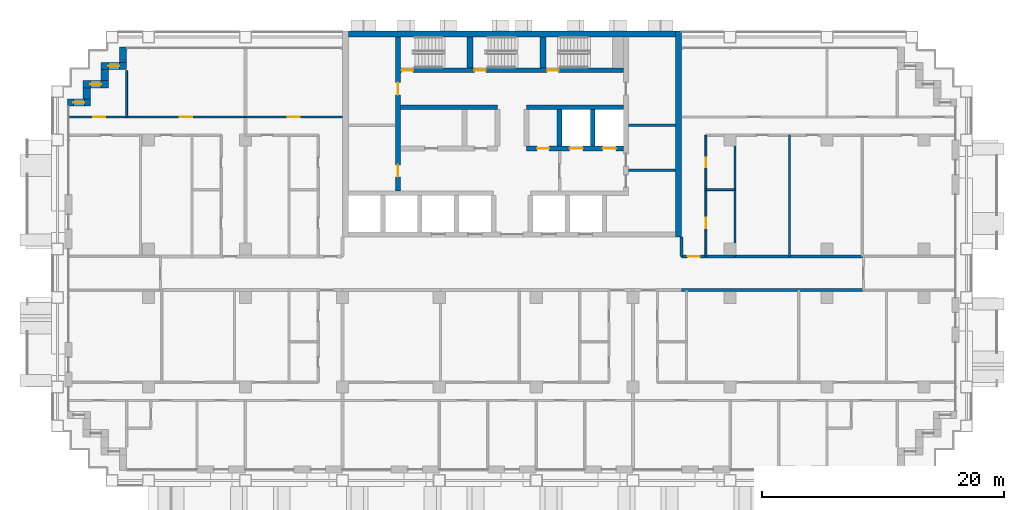
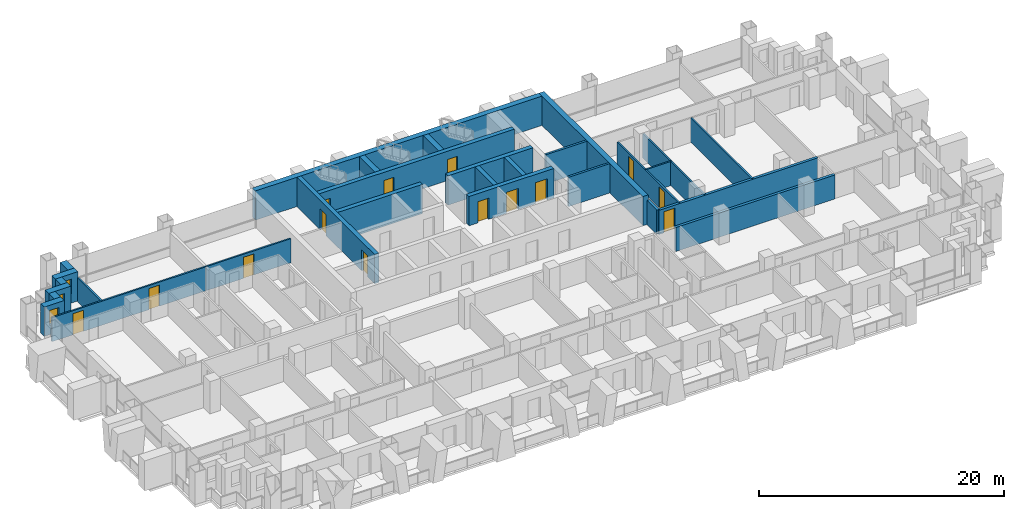
# One storey, part 12 of 18: 29 walls, 14 doors, 3 windows, 17 openings.
"""IFC4 building model written with IfcOpenShell, lengths in metres."""

from ifc_helpers import new_model, si_unit, direction, frame, frame_2d, origin, place, context, subcontext, project, spatial, rectangle, extrude, material, layer, layer_set, type_object, element, fill, save


model = new_model("IFC4")

# Units and contexts
model_context = context("Model", 3, precision=1e-05, world=origin(), true_north=direction((0.0, 1.0)))
body_context = subcontext(model_context, "Body", "Model", "MODEL_VIEW")
ifc_project = project(units=[si_unit("LENGTHUNIT", "METRE"), si_unit("AREAUNIT", "SQUARE_METRE"), si_unit("VOLUMEUNIT", "CUBIC_METRE"), si_unit("PLANEANGLEUNIT", "RADIAN"), si_unit("MASSUNIT", "GRAM", prefix="KILO")], contexts=[model_context])

# Site, building, storey
site_placement = place(None, origin())
site = spatial("IfcSite", under=ifc_project, at=site_placement, CompositionType="ELEMENT")
building_placement = place(site_placement, origin())
building = spatial("IfcBuilding", under=site, at=building_placement, Name="Vidyagriha Tower", CompositionType="ELEMENT")
storey_placement = place(building_placement, frame((0.0, 0.0, 54.39990234375)))
storey = spatial("IfcBuildingStorey", under=building, at=storey_placement, Name="L14", CompositionType="ELEMENT", Elevation=54.39990234375)

# Wall
ifc_material_1 = material(Name="Precast concrete C40/50 with brick facing", Category="concrete")
ifc_layer_1 = layer(ifc_material_1, 0.60009765625)
ifc_layer_set_1 = layer_set([ifc_layer_1], Name="Precast concrete C40/50 with brick facing")
wall_type_1 = type_object("IfcWallType", Name="Brick-faced precast wall 600", PredefinedType="STANDARD", material=ifc_layer_set_1)
wall_1_placement = place(storey_placement, frame((-32.10009765625, 18.679931640625, 0.0), z_axis=(0.0, 0.0, 1.0), x_axis=(0.0, -1.0, 0.0)))
element("IfcWall", 1, at=wall_1_placement, inside=storey, type_object=wall_type_1, Name="Stepped corner wall L14 R10", PredefinedType="STANDARD", context=body_context, shape_type="SweptSolid", body=[
    extrude(rectangle(XDim=1.280029296875, YDim=0.60009765625, at=frame_2d((0.64013671875, 0.0))), origin(), (0.0, 0.0, 1.0), 2.920166015625),
])

# Wall, opening, window
wall_2_placement = place(storey_placement, frame((-31.800048828125, 17.10009765625, 0.0), z_axis=(0.0, 0.0, 1.0), x_axis=(-1.0, 0.0, 0.0)))
wall_2 = element("IfcWall", 2, at=wall_2_placement, inside=storey, type_object=wall_type_1, Name="Stepped corner wall L14 R11", PredefinedType="STANDARD", context=body_context, shape_type="SweptSolid", body=[
    extrude(rectangle(XDim=2.099853515625, YDim=0.60009765625, at=frame_2d((1.0498046875, 0.0))), origin(), (0.0, 0.0, 1.0), 2.920166015625),
])
opening_1_placement = place(wall_2_placement, frame((0.60009765625, 0.0, 0.89990234375)))
opening_1 = element("IfcOpeningElement", 3, at=opening_1_placement, cuts=wall_2, Name="Opening WN1", PredefinedType="OPENING", context=body_context, shape_type="SweptSolid", body=[
    extrude(rectangle(XDim=0.89990234375, YDim=1.5, at=frame_2d((0.449951171875, 0.75))), frame((0.0, 0.31005859375, 0.0), z_axis=(0.0, -1.0, 0.0), x_axis=(1.0, 0.0, 0.0)), (0.0, 0.0, 1.0), 0.6201171875),
])
ifc_material_2 = material(Name="Aluminium and glass window", Category="aluminium")
window_type = type_object("IfcWindowType", Name="Reveal window 900x1500", PartitioningType="NOTDEFINED", PredefinedType="WINDOW", material=ifc_material_2)
window_1_placement = place(opening_1_placement, origin())
window_1 = element("IfcWindow", 4, at=window_1_placement, inside=storey, type_object=window_type, Name="Reveal window L14 R11", OverallHeight=1.5, OverallWidth=0.89990234375, PartitioningType="SINGLE_PANEL", PredefinedType="WINDOW", context=body_context, shape_type="SweptSolid", body=[
    extrude(rectangle(XDim=0.89990234375, YDim=1.5, at=frame_2d((0.449951171875, 0.75))), frame((0.0, 0.030029296875, 0.0), z_axis=(0.0, -1.0, 0.0), x_axis=(1.0, 0.0, 0.0)), (0.0, 0.0, 1.0), 0.06005859375),
])
fill(opening_1, window_1)

# Wall
wall_3_placement = place(storey_placement, frame((-33.60009765625, 16.800048828125, 0.0), z_axis=(0.0, 0.0, 1.0), x_axis=(0.0, -1.0, 0.0)))
element("IfcWall", 5, at=wall_3_placement, inside=storey, type_object=wall_type_1, Name="Stepped corner wall L14 R12", PredefinedType="STANDARD", context=body_context, shape_type="SweptSolid", body=[
    extrude(rectangle(XDim=0.900146484375, YDim=0.60009765625, at=frame_2d((0.4501953125, 0.0))), origin(), (0.0, 0.0, 1.0), 2.920166015625),
])

# Wall, opening, window
wall_4_placement = place(storey_placement, frame((-33.300048828125, 15.60009765625, 0.0), z_axis=(0.0, 0.0, 1.0), x_axis=(-1.0, 0.0, 0.0)))
wall_4 = element("IfcWall", 6, at=wall_4_placement, inside=storey, type_object=wall_type_1, Name="Stepped corner wall L14 R13", PredefinedType="STANDARD", context=body_context, shape_type="SweptSolid", body=[
    extrude(rectangle(XDim=2.099853515625, YDim=0.60009765625, at=frame_2d((1.0498046875, 0.0))), origin(), (0.0, 0.0, 1.0), 2.920166015625),
])
opening_2_placement = place(wall_4_placement, frame((0.60009765625, 0.0, 0.89990234375)))
opening_2 = element("IfcOpeningElement", 7, at=opening_2_placement, cuts=wall_4, Name="Opening WN1", PredefinedType="OPENING", context=body_context, shape_type="SweptSolid", body=[
    extrude(rectangle(XDim=0.89990234375, YDim=1.5, at=frame_2d((0.449951171875, 0.75))), frame((0.0, 0.31005859375, 0.0), z_axis=(0.0, -1.0, 0.0), x_axis=(1.0, 0.0, 0.0)), (0.0, 0.0, 1.0), 0.6201171875),
])
window_2_placement = place(opening_2_placement, origin())
window_2 = element("IfcWindow", 8, at=window_2_placement, inside=storey, type_object=window_type, Name="Reveal window L14 R13", OverallHeight=1.5, OverallWidth=0.89990234375, PartitioningType="SINGLE_PANEL", PredefinedType="WINDOW", context=body_context, shape_type="SweptSolid", body=[
    extrude(rectangle(XDim=0.89990234375, YDim=1.5, at=frame_2d((0.449951171875, 0.75))), frame((0.0, 0.030029296875, 0.0), z_axis=(0.0, -1.0, 0.0), x_axis=(1.0, 0.0, 0.0)), (0.0, 0.0, 1.0), 0.06005859375),
])
fill(opening_2, window_2)

# Wall
wall_5_placement = place(storey_placement, frame((-35.10009765625, 15.300048828125, 0.0), z_axis=(0.0, 0.0, 1.0), x_axis=(0.0, -1.0, 0.0)))
element("IfcWall", 9, at=wall_5_placement, inside=storey, type_object=wall_type_1, Name="Stepped corner wall L14 R14", PredefinedType="STANDARD", context=body_context, shape_type="SweptSolid", body=[
    extrude(rectangle(XDim=0.900146484375, YDim=0.60009765625, at=frame_2d((0.4501953125, 0.0))), origin(), (0.0, 0.0, 1.0), 2.920166015625),
])

# Wall, opening, window
wall_6_placement = place(storey_placement, frame((-34.800048828125, 14.10009765625, 0.0), z_axis=(0.0, 0.0, 1.0), x_axis=(-1.0, 0.0, 0.0)))
wall_6 = element("IfcWall", 10, at=wall_6_placement, inside=storey, type_object=wall_type_1, Name="Stepped corner wall L14 R15", PredefinedType="STANDARD", context=body_context, shape_type="SweptSolid", body=[
    extrude(rectangle(XDim=1.8798828125, YDim=0.60009765625, at=frame_2d((0.93994140625, 0.0))), origin(), (0.0, 0.0, 1.0), 2.920166015625),
])
opening_3_placement = place(wall_6_placement, frame((0.489990234375, 0.0, 0.89990234375)))
opening_3 = element("IfcOpeningElement", 11, at=opening_3_placement, cuts=wall_6, Name="Opening WN1", PredefinedType="OPENING", context=body_context, shape_type="SweptSolid", body=[
    extrude(rectangle(XDim=0.89990234375, YDim=1.5, at=frame_2d((0.449951171875, 0.75))), frame((0.0, 0.31005859375, 0.0), z_axis=(0.0, -1.0, 0.0), x_axis=(1.0, 0.0, 0.0)), (0.0, 0.0, 1.0), 0.6201171875),
])
window_3_placement = place(opening_3_placement, origin())
window_3 = element("IfcWindow", 12, at=window_3_placement, inside=storey, type_object=window_type, Name="Reveal window L14 R15", OverallHeight=1.5, OverallWidth=0.89990234375, PartitioningType="SINGLE_PANEL", PredefinedType="WINDOW", context=body_context, shape_type="SweptSolid", body=[
    extrude(rectangle(XDim=0.89990234375, YDim=1.5, at=frame_2d((0.449951171875, 0.75))), frame((0.0, 0.030029296875, 0.0), z_axis=(0.0, -1.0, 0.0), x_axis=(1.0, 0.0, 0.0)), (0.0, 0.0, 1.0), 0.06005859375),
])
fill(opening_3, window_3)

# Wall, openings, doors
ifc_material_3 = material(Name="Concrete C60/75", Category="concrete")
ifc_layer_2 = layer(ifc_material_3, 0.39990234375)
ifc_layer_set_2 = layer_set([ifc_layer_2], Name="Concrete C60/75")
wall_type_2 = type_object("IfcWallType", Name="Core shear wall 400 mm", PredefinedType="SHEAR", material=ifc_layer_set_2)
wall_7_placement = place(storey_placement, frame((-9.39990234375, 6.800048828125, 0.0), z_axis=(0.0, 0.0, 1.0), x_axis=(0.0, 1.0, 0.0)))
wall_7 = element("IfcWall", 13, at=wall_7_placement, inside=storey, type_object=wall_type_2, Name="Core west spine wall", PredefinedType="SHEAR", context=body_context, shape_type="SweptSolid", body=[
    extrude(rectangle(XDim=12.699951171875, YDim=0.39990234375, at=frame_2d((6.35009765625, 0.0))), origin(), (0.0, 0.0, 1.0), 2.920166015625),
])
opening_4_placement = place(wall_7_placement, frame((1.14990234375, 0.0, 0.0)))
opening_4 = element("IfcOpeningElement", 14, at=opening_4_placement, cuts=wall_7, Name="Opening D14-09", PredefinedType="OPENING", context=body_context, shape_type="SweptSolid", body=[
    extrude(rectangle(XDim=1.0, YDim=2.10009765625, at=frame_2d((0.5, 1.050048828125))), frame((0.0, 0.2099609375, 0.0), z_axis=(0.0, -1.0, 0.0), x_axis=(1.0, 0.0, 0.0)), (0.0, 0.0, 1.0), 0.419921875),
])
opening_5_placement = place(wall_7_placement, frame((7.925048828125, 0.0, 0.0)))
opening_5 = element("IfcOpeningElement", 15, at=opening_5_placement, cuts=wall_7, Name="Opening D14-10", PredefinedType="OPENING", context=body_context, shape_type="SweptSolid", body=[
    extrude(rectangle(XDim=1.0, YDim=2.10009765625, at=frame_2d((0.5, 1.050048828125))), frame((0.0, 0.2099609375, 0.0), z_axis=(0.0, -1.0, 0.0), x_axis=(1.0, 0.0, 0.0)), (0.0, 0.0, 1.0), 0.419921875),
])
ifc_material_4 = material(Name="Hollow metal door leaf")
door_type_1 = type_object("IfcDoorType", Name="Core room door 1000 x 2100 mm EI 60", OperationType="NOTDEFINED", PredefinedType="DOOR", material=ifc_material_4)
door_1_placement = place(opening_4_placement, frame((1.0, 0.0, 0.0), z_axis=(0.0, 0.0, 1.0), x_axis=(-1.0, 0.0, 0.0)))
door_1 = element("IfcDoor", 16, at=door_1_placement, inside=storey, type_object=door_type_1, Name="Door Switchgear Room 14.W1", OperationType="SINGLE_SWING_RIGHT", OverallHeight=2.10009765625, OverallWidth=1.0, PredefinedType="DOOR", context=body_context, shape_type="SweptSolid", body=[
    extrude(rectangle(XDim=1.0, YDim=2.10009765625, at=frame_2d((0.5, 1.050048828125))), frame((0.0, 0.02490234375, 0.0), z_axis=(0.0, -1.0, 0.0), x_axis=(1.0, 0.0, 0.0)), (0.0, 0.0, 1.0), 0.050048828125),
])
fill(opening_4, door_1)
door_2_placement = place(opening_5_placement, frame((1.0, 0.0, 0.0), z_axis=(0.0, 0.0, 1.0), x_axis=(-1.0, 0.0, 0.0)))
door_2 = element("IfcDoor", 17, at=door_2_placement, inside=storey, type_object=door_type_1, Name="Door Communications Room 14.W2", OperationType="SINGLE_SWING_LEFT", OverallHeight=2.10009765625, OverallWidth=1.0, PredefinedType="DOOR", context=body_context, shape_type="SweptSolid", body=[
    extrude(rectangle(XDim=1.0, YDim=2.10009765625, at=frame_2d((0.5, 1.050048828125))), frame((0.0, 0.02490234375, 0.0), z_axis=(0.0, -1.0, 0.0), x_axis=(1.0, 0.0, 0.0)), (0.0, 0.0, 1.0), 0.050048828125),
])
fill(opening_5, door_2)

# Wall
wall_8_placement = place(storey_placement, frame((-9.199951171875, 13.699951171875, 0.0)))
element("IfcWall", 18, at=wall_8_placement, inside=storey, type_object=wall_type_2, Name="Core row N rear wall", PredefinedType="SHEAR", context=body_context, shape_type="SweptSolid", body=[
    extrude(rectangle(XDim=8.0, YDim=0.39990234375, at=frame_2d((4.0, 0.0))), origin(), (0.0, 0.0, 1.0), 2.920166015625),
])

# Wall, openings, doors
wall_9_placement = place(storey_placement, frame((1.199951171875, 10.300048828125, 0.0)))
wall_9 = element("IfcWall", 19, at=wall_9_placement, inside=storey, type_object=wall_type_2, Name="Core row N front wall", PredefinedType="SHEAR", context=body_context, shape_type="SweptSolid", body=[
    extrude(rectangle(XDim=8.0, YDim=0.39990234375, at=frame_2d((4.0, 0.0))), origin(), (0.0, 0.0, 1.0), 2.920166015625),
])
opening_6_placement = place(wall_9_placement, frame((3.550048828125, 0.0, 0.0)))
opening_6 = element("IfcOpeningElement", 20, at=opening_6_placement, cuts=wall_9, Name="Opening LD14-05", PredefinedType="OPENING", context=body_context, shape_type="SweptSolid", body=[
    extrude(rectangle(XDim=1.10009765625, YDim=2.10009765625, at=frame_2d((0.550048828125, 1.050048828125))), frame((0.0, 0.2099609375, 0.0), z_axis=(0.0, -1.0, 0.0), x_axis=(1.0, 0.0, 0.0)), (0.0, 0.0, 1.0), 0.419921875),
])
opening_7_placement = place(wall_9_placement, frame((6.283203125, 0.0, 0.0)))
opening_7 = element("IfcOpeningElement", 21, at=opening_7_placement, cuts=wall_9, Name="Opening LD14-06", PredefinedType="OPENING", context=body_context, shape_type="SweptSolid", body=[
    extrude(rectangle(XDim=1.10009765625, YDim=2.10009765625, at=frame_2d((0.550048828125, 1.050048828125))), frame((0.0, 0.2099609375, 0.0), z_axis=(0.0, -1.0, 0.0), x_axis=(1.0, 0.0, 0.0)), (0.0, 0.0, 1.0), 0.419921875),
])
opening_8_placement = place(wall_9_placement, frame((0.86669921875, 0.0, 0.0)))
opening_8 = element("IfcOpeningElement", 22, at=opening_8_placement, cuts=wall_9, Name="Opening D14-04", PredefinedType="OPENING", context=body_context, shape_type="SweptSolid", body=[
    extrude(rectangle(XDim=1.0, YDim=2.10009765625, at=frame_2d((0.5, 1.050048828125))), frame((0.0, 0.2099609375, 0.0), z_axis=(0.0, -1.0, 0.0), x_axis=(1.0, 0.0, 0.0)), (0.0, 0.0, 1.0), 0.419921875),
])
door_3_placement = place(opening_8_placement, frame((1.0, 0.0, 0.0), z_axis=(0.0, 0.0, 1.0), x_axis=(-1.0, 0.0, 0.0)))
door_3 = element("IfcDoor", 23, at=door_3_placement, inside=storey, type_object=door_type_1, Name="Door Storage Room 14.16", OperationType="SINGLE_SWING_LEFT", OverallHeight=2.10009765625, OverallWidth=1.0, PredefinedType="DOOR", context=body_context, shape_type="SweptSolid", body=[
    extrude(rectangle(XDim=1.0, YDim=2.10009765625, at=frame_2d((0.5, 1.050048828125))), frame((0.0, 0.02490234375, 0.0), z_axis=(0.0, -1.0, 0.0), x_axis=(1.0, 0.0, 0.0)), (0.0, 0.0, 1.0), 0.050048828125),
])
fill(opening_8, door_3)
ifc_material_5 = material(Name="Stainless steel sliding door panel", Category="steel")
door_type_2 = type_object("IfcDoorType", Name="Lift landing door 1100 x 2100 mm EI 90", OperationType="NOTDEFINED", PredefinedType="DOOR", material=ifc_material_5)
door_4_placement = place(opening_6_placement, origin())
door_4 = element("IfcDoor", 24, at=door_4_placement, inside=storey, type_object=door_type_2, Name="Landing door FF1 L14", OperationType="SLIDING_TO_LEFT", OverallHeight=2.10009765625, OverallWidth=1.10009765625, PredefinedType="DOOR", context=body_context, shape_type="SweptSolid", body=[
    extrude(rectangle(XDim=1.10009765625, YDim=2.10009765625, at=frame_2d((0.550048828125, 1.050048828125))), frame((0.0, 0.02490234375, 0.0), z_axis=(0.0, -1.0, 0.0), x_axis=(1.0, 0.0, 0.0)), (0.0, 0.0, 1.0), 0.050048828125),
])
fill(opening_6, door_4)
door_5_placement = place(opening_7_placement, origin())
door_5 = element("IfcDoor", 25, at=door_5_placement, inside=storey, type_object=door_type_2, Name="Landing door FF2 L14", OperationType="SLIDING_TO_LEFT", OverallHeight=2.10009765625, OverallWidth=1.10009765625, PredefinedType="DOOR", context=body_context, shape_type="SweptSolid", body=[
    extrude(rectangle(XDim=1.10009765625, YDim=2.10009765625, at=frame_2d((0.550048828125, 1.050048828125))), frame((0.0, 0.02490234375, 0.0), z_axis=(0.0, -1.0, 0.0), x_axis=(1.0, 0.0, 0.0)), (0.0, 0.0, 1.0), 0.050048828125),
])
fill(opening_7, door_5)

# Walls
wall_10_placement = place(storey_placement, frame((1.199951171875, 13.699951171875, 0.0)))
element("IfcWall", 26, at=wall_10_placement, inside=storey, type_object=wall_type_2, Name="Core row N rear wall", PredefinedType="SHEAR", context=body_context, shape_type="SweptSolid", body=[
    extrude(rectangle(XDim=8.0, YDim=0.39990234375, at=frame_2d((4.0, 0.0))), origin(), (0.0, 0.0, 1.0), 2.920166015625),
])
for number, where, z_axis, x_axis, name in (
    (27, (3.933349609375, 10.5, 0.0), (0.0, 0.0, 1.0), (0.0, 1.0, 0.0), "Core bay wall N5"),
    (28, (6.666748046875, 10.5, 0.0), (0.0, 0.0, 1.0), (0.0, 1.0, 0.0), "Core bay wall N6"),
):
    element("IfcWall", number, at=place(storey_placement, frame(where, z_axis=z_axis, x_axis=x_axis)), inside=storey, type_object=wall_type_2, Name=name, PredefinedType="SHEAR", context=body_context, shape_type="SweptSolid", body=[
        extrude(rectangle(XDim=3.0, YDim=0.39990234375, at=frame_2d((1.5, 0.0))), origin(), (0.0, 0.0, 1.0), 2.920166015625),
    ])

# Wall, openings, doors
wall_11_placement = place(storey_placement, frame((-9.199951171875, 16.75, 0.0)))
wall_11 = element("IfcWall", 29, at=wall_11_placement, inside=storey, type_object=wall_type_2, Name="Stair front wall", PredefinedType="SHEAR", context=body_context, shape_type="SweptSolid", body=[
    extrude(rectangle(XDim=18.39990234375, YDim=0.39990234375, at=frame_2d((9.199951171875, 0.0))), origin(), (0.0, 0.0, 1.0), 2.920166015625),
])
opening_9_placement = place(wall_11_placement, frame((0.10009765625, 0.0, 0.0)))
opening_9 = element("IfcOpeningElement", 30, at=opening_9_placement, cuts=wall_11, Name="Opening D14-06", PredefinedType="OPENING", context=body_context, shape_type="SweptSolid", body=[
    extrude(rectangle(XDim=0.949951171875, YDim=2.10009765625, at=frame_2d((0.47509765625, 1.050048828125))), frame((0.0, 0.2099609375, 0.0), z_axis=(0.0, -1.0, 0.0), x_axis=(1.0, 0.0, 0.0)), (0.0, 0.0, 1.0), 0.419921875),
])
opening_10_placement = place(wall_11_placement, frame((6.10009765625, 0.0, 0.0)))
opening_10 = element("IfcOpeningElement", 31, at=opening_10_placement, cuts=wall_11, Name="Opening D14-07", PredefinedType="OPENING", context=body_context, shape_type="SweptSolid", body=[
    extrude(rectangle(XDim=0.949951171875, YDim=2.10009765625, at=frame_2d((0.47509765625, 1.050048828125))), frame((0.0, 0.2099609375, 0.0), z_axis=(0.0, -1.0, 0.0), x_axis=(1.0, 0.0, 0.0)), (0.0, 0.0, 1.0), 0.419921875),
])
opening_11_placement = place(wall_11_placement, frame((12.10009765625, 0.0, 0.0)))
opening_11 = element("IfcOpeningElement", 32, at=opening_11_placement, cuts=wall_11, Name="Opening D14-08", PredefinedType="OPENING", context=body_context, shape_type="SweptSolid", body=[
    extrude(rectangle(XDim=0.949951171875, YDim=2.10009765625, at=frame_2d((0.47509765625, 1.050048828125))), frame((0.0, 0.2099609375, 0.0), z_axis=(0.0, -1.0, 0.0), x_axis=(1.0, 0.0, 0.0)), (0.0, 0.0, 1.0), 0.419921875),
])
ifc_material_6 = material(Name="Hollow metal door leaf")
door_type_3 = type_object("IfcDoorType", Name="Exit stair door 950 x 2100 mm EI 90", OperationType="NOTDEFINED", PredefinedType="DOOR", material=ifc_material_6)
door_6_placement = place(opening_9_placement, origin())
door_6 = element("IfcDoor", 33, at=door_6_placement, inside=storey, type_object=door_type_3, Name="Stair door ST1 L14", OperationType="SINGLE_SWING_LEFT", OverallHeight=2.10009765625, OverallWidth=0.949951171875, PredefinedType="DOOR", context=body_context, shape_type="SweptSolid", body=[
    extrude(rectangle(XDim=0.949951171875, YDim=2.10009765625, at=frame_2d((0.47509765625, 1.050048828125))), frame((0.0, 0.02490234375, 0.0), z_axis=(0.0, -1.0, 0.0), x_axis=(1.0, 0.0, 0.0)), (0.0, 0.0, 1.0), 0.050048828125),
])
fill(opening_9, door_6)
door_7_placement = place(opening_10_placement, origin())
door_7 = element("IfcDoor", 34, at=door_7_placement, inside=storey, type_object=door_type_3, Name="Stair door ST2 L14", OperationType="SINGLE_SWING_LEFT", OverallHeight=2.10009765625, OverallWidth=0.949951171875, PredefinedType="DOOR", context=body_context, shape_type="SweptSolid", body=[
    extrude(rectangle(XDim=0.949951171875, YDim=2.10009765625, at=frame_2d((0.47509765625, 1.050048828125))), frame((0.0, 0.02490234375, 0.0), z_axis=(0.0, -1.0, 0.0), x_axis=(1.0, 0.0, 0.0)), (0.0, 0.0, 1.0), 0.050048828125),
])
fill(opening_10, door_7)
door_8_placement = place(opening_11_placement, origin())
door_8 = element("IfcDoor", 35, at=door_8_placement, inside=storey, type_object=door_type_3, Name="Stair door ST3 L14", OperationType="SINGLE_SWING_LEFT", OverallHeight=2.10009765625, OverallWidth=0.949951171875, PredefinedType="DOOR", context=body_context, shape_type="SweptSolid", body=[
    extrude(rectangle(XDim=0.949951171875, YDim=2.10009765625, at=frame_2d((0.47509765625, 1.050048828125))), frame((0.0, 0.02490234375, 0.0), z_axis=(0.0, -1.0, 0.0), x_axis=(1.0, 0.0, 0.0)), (0.0, 0.0, 1.0), 0.050048828125),
])
fill(opening_11, door_8)

# Walls
ifc_material_7 = material(Name="Concrete C60/75", Category="concrete")
ifc_layer_3 = layer(ifc_material_7, 0.5)
ifc_layer_set_3 = layer_set([ifc_layer_3], Name="Concrete C60/75")
wall_type_3 = type_object("IfcWallType", Name="Core shear wall 500 mm", PredefinedType="SHEAR", material=ifc_layer_set_3)
wall_12_placement = place(storey_placement, frame((13.75, 3.0, 0.0), z_axis=(0.0, 0.0, 1.0), x_axis=(0.0, 1.0, 0.0)))
element("IfcWall", 36, at=wall_12_placement, inside=storey, type_object=wall_type_3, Name="Core east wall", PredefinedType="SHEAR", context=body_context, shape_type="SweptSolid", body=[
    extrude(rectangle(XDim=17.0, YDim=0.5, at=frame_2d((8.5, 0.0))), origin(), (0.0, 0.0, 1.0), 2.920166015625),
])
wall_13_placement = place(storey_placement, frame((-13.5, 19.75, 0.0)))
element("IfcWall", 37, at=wall_13_placement, inside=storey, type_object=wall_type_3, Name="Core north wall", PredefinedType="SHEAR", context=body_context, shape_type="SweptSolid", body=[
    extrude(rectangle(XDim=27.0, YDim=0.5, at=frame_2d((13.5, 0.0))), origin(), (0.0, 0.0, 1.0), 2.920166015625),
])
for number, where, z_axis, x_axis, name in (
    (38, (-3.449951171875, 16.949951171875, 0.0), (0.0, 0.0, 1.0), (0.0, 1.0, 0.0), "Stair partition wall 1"),
    (39, (2.550048828125, 16.949951171875, 0.0), (0.0, 0.0, 1.0), (0.0, 1.0, 0.0), "Stair partition wall 2"),
):
    element("IfcWall", number, at=place(storey_placement, frame(where, z_axis=z_axis, x_axis=x_axis)), inside=storey, type_object=wall_type_3, Name=name, PredefinedType="SHEAR", context=body_context, shape_type="SweptSolid", body=[
        extrude(rectangle(XDim=2.550048828125, YDim=0.5, at=frame_2d((1.27490234375, 0.0))), origin(), (0.0, 0.0, 1.0), 2.920166015625),
    ])
ifc_material_8 = material(Name="Fired clay brick masonry", Category="masonry")
ifc_layer_4 = layer(ifc_material_8, 0.25)
ifc_layer_set_4 = layer_set([ifc_layer_4], Name="Fired clay brick masonry")
wall_type_4 = type_object("IfcWallType", Name="Fired clay brick corridor wall 250", PredefinedType="PARTITIONING", material=ifc_layer_set_4)
wall_14_placement = place(storey_placement, frame((29.0, -1.39990234375, 0.0), z_axis=(0.0, 0.0, 1.0), x_axis=(-1.0, 0.0, 0.0)))
element("IfcWall", 40, at=wall_14_placement, inside=storey, type_object=wall_type_4, Name="Wall all-L14-w075", PredefinedType="PARTITIONING", context=body_context, shape_type="SweptSolid", body=[
    extrude(rectangle(XDim=15.0, YDim=0.25, at=frame_2d((7.5, 0.0))), origin(), (0.0, 0.0, 1.0), 2.400146484375),
])

# Wall, opening, door
wall_15_placement = place(storey_placement, frame((14.0, 1.39990234375, 0.0)))
wall_15 = element("IfcWall", 41, at=wall_15_placement, inside=storey, type_object=wall_type_4, Name="Wall all-L14-w122", PredefinedType="PARTITIONING", context=body_context, shape_type="SweptSolid", body=[
    extrude(rectangle(XDim=15.0, YDim=0.25, at=frame_2d((7.5, 0.0))), origin(), (0.0, 0.0, 1.0), 2.400146484375),
])
opening_12_placement = place(wall_15_placement, frame((0.5, 0.0, 0.0)))
opening_12 = element("IfcOpeningElement", 42, at=opening_12_placement, cuts=wall_15, Name="Opening D14-68", PredefinedType="OPENING", context=body_context, shape_type="SweptSolid", body=[
    extrude(rectangle(XDim=1.0, YDim=2.10009765625, at=frame_2d((0.5, 1.050048828125))), frame((0.0, 0.135009765625, 0.0), z_axis=(0.0, -1.0, 0.0), x_axis=(1.0, 0.0, 0.0)), (0.0, 0.0, 1.0), 0.27001953125),
])
ifc_material_9 = material(Name="Fire-rated timber door leaf EI 60", Category="wood")
door_type_4 = type_object("IfcDoorType", Name="Flat entrance fire door 1000x2100", OperationType="NOTDEFINED", PredefinedType="DOOR", material=ifc_material_9)
door_9_placement = place(opening_12_placement, origin())
door_9 = element("IfcDoor", 43, at=door_9_placement, inside=storey, type_object=door_type_4, Name="Door D14-68", OperationType="SINGLE_SWING_LEFT", OverallHeight=2.10009765625, OverallWidth=1.0, PredefinedType="DOOR", context=body_context, shape_type="SweptSolid", body=[
    extrude(rectangle(XDim=1.0, YDim=2.10009765625, at=frame_2d((0.5, 1.050048828125))), frame((0.0, 0.02490234375, 0.0), z_axis=(0.0, -1.0, 0.0), x_axis=(1.0, 0.0, 0.0)), (0.0, 0.0, 1.0), 0.050048828125),
])
fill(opening_12, door_9)

# Wall
wall_16_placement = place(storey_placement, frame((14.0, 1.39990234375, 0.0), z_axis=(0.0, 0.0, 1.0), x_axis=(0.0, 1.0, 0.0)))
element("IfcWall", 44, at=wall_16_placement, inside=storey, type_object=wall_type_4, Name="Wall all-L14-w130", PredefinedType="PARTITIONING", context=body_context, shape_type="SweptSolid", body=[
    extrude(rectangle(XDim=1.60009765625, YDim=0.25, at=frame_2d((0.800048828125, 0.0))), origin(), (0.0, 0.0, 1.0), 2.400146484375),
])

# Wall, openings, doors
ifc_material_10 = material(Name="Gypsum board partition")
ifc_layer_5 = layer(ifc_material_10, 0.14990234375)
ifc_layer_set_5 = layer_set([ifc_layer_5], Name="Gypsum board partition")
wall_type_5 = type_object("IfcWallType", Name="Gypsum board partition 150", PredefinedType="PARTITIONING", material=ifc_layer_set_5)
wall_17_placement = place(storey_placement, frame((-36.52001953125, 12.89990234375, 0.0)))
wall_17 = element("IfcWall", 45, at=wall_17_placement, inside=storey, type_object=wall_type_5, Name="Wall all-L14-w086", PredefinedType="PARTITIONING", context=body_context, shape_type="SweptSolid", body=[
    extrude(rectangle(XDim=14.52001953125, YDim=0.14990234375, at=frame_2d((7.260009765625, 0.0))), origin(), (0.0, 0.0, 1.0), 2.400146484375),
])
opening_13_placement = place(wall_17_placement, frame((1.969970703125, 0.0, 0.0)))
opening_13 = element("IfcOpeningElement", 46, at=opening_13_placement, cuts=wall_17, Name="Opening D14-52", PredefinedType="OPENING", context=body_context, shape_type="SweptSolid", body=[
    extrude(rectangle(XDim=1.0, YDim=2.10009765625, at=frame_2d((0.5, 1.050048828125))), frame((0.0, 0.0849609375, 0.0), z_axis=(0.0, -1.0, 0.0), x_axis=(1.0, 0.0, 0.0)), (0.0, 0.0, 1.0), 0.169921875),
])
opening_14_placement = place(wall_17_placement, frame((9.1201171875, 0.0, 0.0)))
opening_14 = element("IfcOpeningElement", 47, at=opening_14_placement, cuts=wall_17, Name="Opening D14-53", PredefinedType="OPENING", context=body_context, shape_type="SweptSolid", body=[
    extrude(rectangle(XDim=1.0, YDim=2.10009765625, at=frame_2d((0.5, 1.050048828125))), frame((0.0, 0.0849609375, 0.0), z_axis=(0.0, -1.0, 0.0), x_axis=(1.0, 0.0, 0.0)), (0.0, 0.0, 1.0), 0.169921875),
])
ifc_material_11 = material(Name="Timber door leaf", Category="wood")
door_type_5 = type_object("IfcDoorType", Name="Room door 1000x2100", OperationType="NOTDEFINED", PredefinedType="DOOR", material=ifc_material_11)
door_10_placement = place(opening_13_placement, origin())
door_10 = element("IfcDoor", 48, at=door_10_placement, inside=storey, type_object=door_type_5, Name="Door D14-52", OperationType="SINGLE_SWING_RIGHT", OverallHeight=2.10009765625, OverallWidth=1.0, PredefinedType="DOOR", context=body_context, shape_type="SweptSolid", body=[
    extrude(rectangle(XDim=1.0, YDim=2.10009765625, at=frame_2d((0.5, 1.050048828125))), frame((0.0, 0.02490234375, 0.0), z_axis=(0.0, -1.0, 0.0), x_axis=(1.0, 0.0, 0.0)), (0.0, 0.0, 1.0), 0.050048828125),
])
fill(opening_13, door_10)
door_11_placement = place(opening_14_placement, origin())
door_11 = element("IfcDoor", 49, at=door_11_placement, inside=storey, type_object=door_type_5, Name="Door D14-53", OperationType="SINGLE_SWING_RIGHT", OverallHeight=2.10009765625, OverallWidth=1.0, PredefinedType="DOOR", context=body_context, shape_type="SweptSolid", body=[
    extrude(rectangle(XDim=1.0, YDim=2.10009765625, at=frame_2d((0.5, 1.050048828125))), frame((0.0, 0.02490234375, 0.0), z_axis=(0.0, -1.0, 0.0), x_axis=(1.0, 0.0, 0.0)), (0.0, 0.0, 1.0), 0.050048828125),
])
fill(opening_14, door_11)

# Wall
wall_18_placement = place(storey_placement, frame((-31.800048828125, 16.719970703125, 0.0), z_axis=(0.0, 0.0, 1.0), x_axis=(0.0, -1.0, 0.0)))
element("IfcWall", 50, at=wall_18_placement, inside=storey, type_object=wall_type_5, Name="Wall all-L14-w089", PredefinedType="PARTITIONING", context=body_context, shape_type="SweptSolid", body=[
    extrude(rectangle(XDim=3.820068359375, YDim=0.14990234375, at=frame_2d((1.91015625, 0.0))), origin(), (0.0, 0.0, 1.0), 2.400146484375),
])

# Wall, opening, door
wall_19_placement = place(storey_placement, frame((-22.0, 12.89990234375, 0.0)))
wall_19 = element("IfcWall", 51, at=wall_19_placement, inside=storey, type_object=wall_type_5, Name="Wall all-L14-w098", PredefinedType="PARTITIONING", context=body_context, shape_type="SweptSolid", body=[
    extrude(rectangle(XDim=8.0, YDim=0.14990234375, at=frame_2d((4.0, 0.0))), origin(), (0.0, 0.0, 1.0), 2.400146484375),
])
opening_15_placement = place(wall_19_placement, frame((3.5, 0.0, 0.0)))
opening_15 = element("IfcOpeningElement", 52, at=opening_15_placement, cuts=wall_19, Name="Opening D14-58", PredefinedType="OPENING", context=body_context, shape_type="SweptSolid", body=[
    extrude(rectangle(XDim=1.0, YDim=2.10009765625, at=frame_2d((0.5, 1.050048828125))), frame((0.0, 0.0849609375, 0.0), z_axis=(0.0, -1.0, 0.0), x_axis=(1.0, 0.0, 0.0)), (0.0, 0.0, 1.0), 0.169921875),
])
door_12_placement = place(opening_15_placement, origin())
door_12 = element("IfcDoor", 53, at=door_12_placement, inside=storey, type_object=door_type_5, Name="Door D14-58", OperationType="SINGLE_SWING_RIGHT", OverallHeight=2.10009765625, OverallWidth=1.0, PredefinedType="DOOR", context=body_context, shape_type="SweptSolid", body=[
    extrude(rectangle(XDim=1.0, YDim=2.10009765625, at=frame_2d((0.5, 1.050048828125))), frame((0.0, 0.02490234375, 0.0), z_axis=(0.0, -1.0, 0.0), x_axis=(1.0, 0.0, 0.0)), (0.0, 0.0, 1.0), 0.050048828125),
])
fill(opening_15, door_12)

# Walls
wall_20_placement = place(storey_placement, frame((16.0, 6.89990234375, 0.0)))
element("IfcWall", 54, at=wall_20_placement, inside=storey, type_object=wall_type_5, Name="Wall all-L14-w107", PredefinedType="PARTITIONING", context=body_context, shape_type="SweptSolid", body=[
    extrude(rectangle(XDim=2.39990234375, YDim=0.14990234375, at=frame_2d((1.199951171875, 0.0))), origin(), (0.0, 0.0, 1.0), 2.400146484375),
])
for number, where, z_axis, x_axis, name in (
    (55, (18.39990234375, 11.39990234375, 0.0), (0.0, 0.0, 1.0), (0.0, -1.0, 0.0), "Wall all-L14-w108"),
    (56, (22.89990234375, 11.39990234375, 0.0), (0.0, 0.0, 1.0), (0.0, -1.0, 0.0), "Wall all-L14-w109"),
):
    element("IfcWall", number, at=place(storey_placement, frame(where, z_axis=z_axis, x_axis=x_axis)), inside=storey, type_object=wall_type_5, Name=name, PredefinedType="PARTITIONING", context=body_context, shape_type="SweptSolid", body=[
        extrude(rectangle(XDim=10.0, YDim=0.14990234375, at=frame_2d((5.0, 0.0))), origin(), (0.0, 0.0, 1.0), 2.400146484375),
    ])

# Wall, openings, doors
ifc_material_12 = material(Name="Moisture resistant gypsum board partition")
ifc_layer_6 = layer(ifc_material_12, 0.14990234375)
ifc_layer_set_6 = layer_set([ifc_layer_6], Name="Moisture resistant gypsum board partition")
wall_type_6 = type_object("IfcWallType", Name="Gypsum board wet-area partition 150", PredefinedType="PARTITIONING", material=ifc_layer_set_6)
wall_21_placement = place(storey_placement, frame((16.0, 11.39990234375, 0.0), z_axis=(0.0, 0.0, 1.0), x_axis=(0.0, -1.0, 0.0)))
wall_21 = element("IfcWall", 57, at=wall_21_placement, inside=storey, type_object=wall_type_6, Name="Wall all-L14-w104", PredefinedType="PARTITIONING", context=body_context, shape_type="SweptSolid", body=[
    extrude(rectangle(XDim=10.0, YDim=0.14990234375, at=frame_2d((5.0, 0.0))), origin(), (0.0, 0.0, 1.0), 2.400146484375),
])
opening_16_placement = place(wall_21_placement, frame((6.800048828125, 0.0, 0.0)))
opening_16 = element("IfcOpeningElement", 58, at=opening_16_placement, cuts=wall_21, Name="Opening D14-60", PredefinedType="OPENING", context=body_context, shape_type="SweptSolid", body=[
    extrude(rectangle(XDim=0.89990234375, YDim=2.10009765625, at=frame_2d((0.449951171875, 1.050048828125))), frame((0.0, 0.0849609375, 0.0), z_axis=(0.0, -1.0, 0.0), x_axis=(1.0, 0.0, 0.0)), (0.0, 0.0, 1.0), 0.169921875),
])
opening_17_placement = place(wall_21_placement, frame((1.85009765625, 0.0, 0.0)))
opening_17 = element("IfcOpeningElement", 59, at=opening_17_placement, cuts=wall_21, Name="Opening D14-61", PredefinedType="OPENING", context=body_context, shape_type="SweptSolid", body=[
    extrude(rectangle(XDim=0.800048828125, YDim=2.10009765625, at=frame_2d((0.39990234375, 1.050048828125))), frame((0.0, 0.0849609375, 0.0), z_axis=(0.0, -1.0, 0.0), x_axis=(1.0, 0.0, 0.0)), (0.0, 0.0, 1.0), 0.169921875),
])
ifc_material_13 = material(Name="Timber door leaf", Category="wood")
door_type_6 = type_object("IfcDoorType", Name="Bathroom door 800x2100", OperationType="NOTDEFINED", PredefinedType="DOOR", material=ifc_material_13)
door_13_placement = place(opening_17_placement, origin())
door_13 = element("IfcDoor", 60, at=door_13_placement, inside=storey, type_object=door_type_6, Name="Door D14-61", OperationType="SINGLE_SWING_RIGHT", OverallHeight=2.10009765625, OverallWidth=0.800048828125, PredefinedType="DOOR", context=body_context, shape_type="SweptSolid", body=[
    extrude(rectangle(XDim=0.800048828125, YDim=2.10009765625, at=frame_2d((0.39990234375, 1.050048828125))), frame((0.0, 0.02490234375, 0.0), z_axis=(0.0, -1.0, 0.0), x_axis=(1.0, 0.0, 0.0)), (0.0, 0.0, 1.0), 0.050048828125),
])
fill(opening_17, door_13)
ifc_material_14 = material(Name="Timber door leaf", Category="wood")
door_type_7 = type_object("IfcDoorType", Name="Kitchen door 900x2100", OperationType="NOTDEFINED", PredefinedType="DOOR", material=ifc_material_14)
door_14_placement = place(opening_16_placement, origin())
door_14 = element("IfcDoor", 61, at=door_14_placement, inside=storey, type_object=door_type_7, Name="Door D14-60", OperationType="SINGLE_SWING_LEFT", OverallHeight=2.10009765625, OverallWidth=0.89990234375, PredefinedType="DOOR", context=body_context, shape_type="SweptSolid", body=[
    extrude(rectangle(XDim=0.89990234375, YDim=2.10009765625, at=frame_2d((0.449951171875, 1.050048828125))), frame((0.0, 0.02490234375, 0.0), z_axis=(0.0, -1.0, 0.0), x_axis=(1.0, 0.0, 0.0)), (0.0, 0.0, 1.0), 0.050048828125),
])
fill(opening_16, door_14)

# Walls
ifc_material_15 = material(Name="Blockwork 15 MPa", Category="masonry")
ifc_layer_7 = layer(ifc_material_15, 0.199951171875)
ifc_layer_set_7 = layer_set([ifc_layer_7], Name="Blockwork 15 MPa")
wall_type_7 = type_object("IfcWallType", Name="Service room partition 200 mm", PredefinedType="PARTITIONING", material=ifc_layer_set_7)
for number, where, name in (
    (62, (9.60009765625, 8.5, 0.0), "Core room partition E1"),
    (63, (9.60009765625, 12.199951171875, 0.0), "Core room partition E2"),
):
    element("IfcWall", number, at=place(storey_placement, frame(where)), inside=storey, type_object=wall_type_7, Name=name, PredefinedType="PARTITIONING", context=body_context, shape_type="SweptSolid", body=[
        extrude(rectangle(XDim=3.89990234375, YDim=0.199951171875, at=frame_2d((1.949951171875, 0.0))), origin(), (0.0, 0.0, 1.0), 2.920166015625),
    ])

save(model, "model.ifc")
